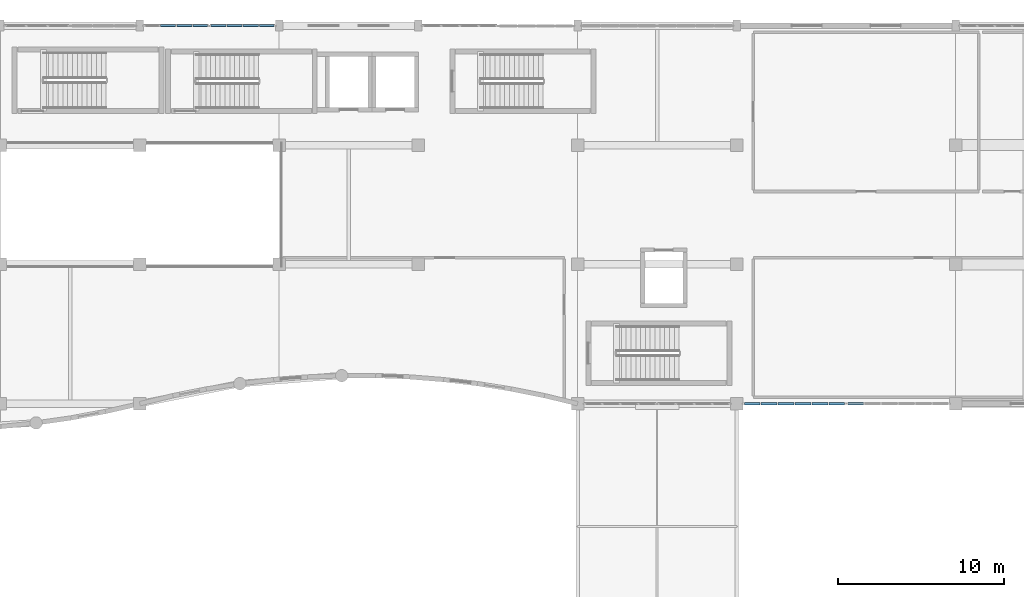
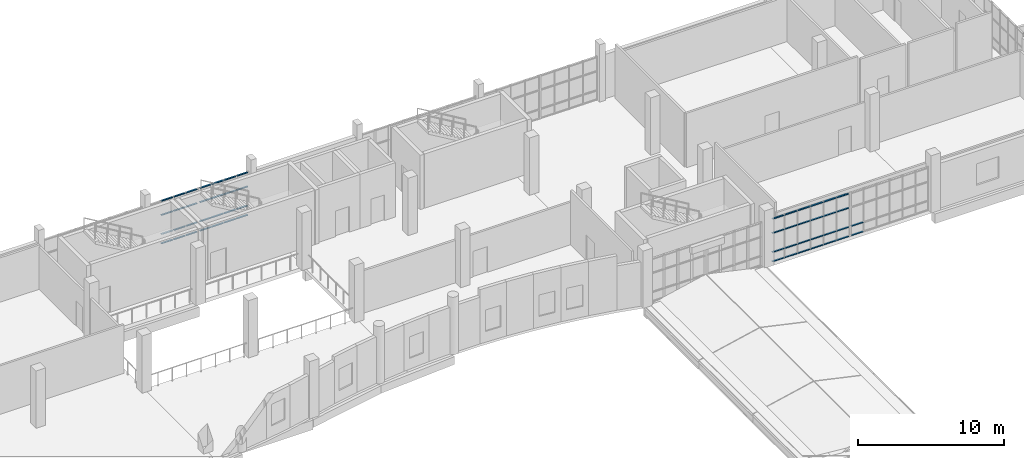
# One storey, part 64 of 106: 54 members, 4 elements without a shape of their own.
"""IFC4 building model written with IfcOpenShell, lengths in metres."""

import ifcopenshell
import ifcopenshell.guid

model = None  # the IFC model being written
_history = None  # IfcOwnerHistory: only IFC2X3 demands one
_inside = {}  # id of a spatial element -> (the spatial element, [elements in it])
_under = {}  # id of a project, library or spatial element -> (it, [spatial elements below it])
_declared = {}  # id of a project -> (the project, [libraries it declares])
_typed = {}  # id of a type object -> (the type object, [elements of that type])
_made_of = {}  # id of a material, layer set ... -> (it, [elements and type objects made of it])


def new_model(schema):
    """Start an empty IFC model of exactly this schema.

    Asked for "IFC4X3", IfcOpenShell would pick the latest addendum, in which some entities
    have other attributes; the version numbers below select the first issue.
    IFC2X3 requires an IfcOwnerHistory on every rooted entity: one is made here for all.
    """
    global model, _history
    if schema == "IFC4X3":
        model = ifcopenshell.file(schema_version=(4, 3, 0, 0))
    else:
        model = ifcopenshell.file(schema=schema)
    _inside.clear()
    _under.clear()
    _declared.clear()
    _typed.clear()
    _made_of.clear()
    _history = None
    if model.schema == "IFC2X3":
        org = make("IfcOrganization", Name="unknown")
        user = make(
            "IfcPersonAndOrganization",
            ThePerson=make("IfcPerson", FamilyName="unknown"),
            TheOrganization=org,
        )
        app = make(
            "IfcApplication",
            ApplicationDeveloper=org,
            Version="unknown",
            ApplicationFullName="unknown",
            ApplicationIdentifier="unknown",
        )
        _history = make(
            "IfcOwnerHistory",
            OwningUser=user,
            OwningApplication=app,
            ChangeAction="ADDED",
            CreationDate=0,
        )
    return model


def make(cls, **values):
    """One entity of the class cls with the attributes given. An attribute that is None is left unset."""
    return model.create_entity(
        cls, **{name: value for name, value in values.items() if value is not None}
    )


def rooted(cls, **values):
    """An entity with a GlobalId (a new one), such as an element, a storey or a relation."""
    return make(cls, GlobalId=ifcopenshell.guid.new(), OwnerHistory=_history, **values)


def si_unit(unit_type, name, prefix=None):
    """IfcSIUnit, for example si_unit("LENGTHUNIT", "METRE", prefix="MILLI")."""
    return make("IfcSIUnit", UnitType=unit_type, Prefix=prefix, Name=name)


def assignment(units):
    """IfcUnitAssignment: the units of a project."""
    return None if units is None else make("IfcUnitAssignment", Units=units)


def point(xyz):
    """IfcCartesianPoint."""
    return None if xyz is None else make("IfcCartesianPoint", Coordinates=xyz)


def direction(xyz):
    """IfcDirection."""
    return None if xyz is None else make("IfcDirection", DirectionRatios=xyz)


def frame(location, z_axis=None, x_axis=None):
    """IfcAxis2Placement3D, a coordinate frame: its origin and axes. An axis left out is left unset."""
    return make(
        "IfcAxis2Placement3D",
        Location=point(location),
        Axis=direction(z_axis),
        RefDirection=direction(x_axis),
    )


def frame_2d(location, x_axis=None):
    """IfcAxis2Placement2D, a coordinate frame in the plane: its origin and x axis."""
    return make(
        "IfcAxis2Placement2D", Location=point(location), RefDirection=direction(x_axis)
    )


def origin():
    """The frame at (0, 0, 0) with its axes left unset."""
    return frame((0.0, 0.0, 0.0))


def origin_2d():
    """The frame at (0, 0) in the plane with its x axis left unset."""
    return frame_2d((0.0, 0.0))


def place(relative_to, where):
    """IfcLocalPlacement: puts the frame where relative to a parent placement (None: the world)."""
    return make(
        "IfcLocalPlacement", PlacementRelTo=relative_to, RelativePlacement=where
    )


def context(
    kind, dimensions, precision=None, world=None, true_north=None, identifier=None
):
    """IfcGeometricRepresentationContext, for example the 3D "Model" context."""
    return make(
        "IfcGeometricRepresentationContext",
        ContextIdentifier=identifier,
        ContextType=kind,
        CoordinateSpaceDimension=dimensions,
        Precision=precision,
        WorldCoordinateSystem=world,
        TrueNorth=true_north,
    )


def subcontext(parent, identifier, kind, view, scale=None):
    """IfcGeometricRepresentationSubContext, for example "Body" below "Model"."""
    return make(
        "IfcGeometricRepresentationSubContext",
        ContextIdentifier=identifier,
        ContextType=kind,
        ParentContext=parent,
        TargetScale=scale,
        TargetView=view,
    )


def project(units=None, contexts=None):
    """IfcProject with its units and contexts."""
    return rooted(
        "IfcProject",
        Name="project",
        RepresentationContexts=contexts,
        UnitsInContext=assignment(units),
    )


def spatial(cls, under=None, at=None, **own):
    """A site, building, storey or space (cls), placed at a placement, below another one or the project."""
    s = rooted(cls, ObjectPlacement=at, **own)
    if under is not None:
        _under.setdefault(under.id(), (under, []))[1].append(s)
    return s


def profile(cls, at=None, kind="AREA", **sizes):
    """A parametric profile (cls). Its sizes go by their IFC names, for example OverallWidth=200.0."""
    return make(cls, ProfileType=kind, Position=at, **sizes)


def hollow_rectangle(**sizes):
    """IfcRectangleHollowProfileDef."""
    return profile("IfcRectangleHollowProfileDef", **sizes)


def extrude(swept, where, along, depth):
    """IfcExtrudedAreaSolid: the profile swept, set in the frame where, extruded along a direction by depth."""
    return make(
        "IfcExtrudedAreaSolid",
        SweptArea=swept,
        Position=where,
        ExtrudedDirection=direction(along),
        Depth=depth,
    )


def shape(context_of_items, identifier, shape_type, items):
    """IfcShapeRepresentation: the items that make up one representation, for example the "Body"."""
    return make(
        "IfcShapeRepresentation",
        ContextOfItems=context_of_items,
        RepresentationIdentifier=identifier,
        RepresentationType=shape_type,
        Items=items,
    )


def material(Name=None, Category=None):
    """IfcMaterial."""
    return make("IfcMaterial", Name=Name, Category=Category)


def layer(
    of_material, thickness, ventilated=None, Name=None, Category=None, Priority=None
):
    """IfcMaterialLayer: one layer of a wall or slab, of a material (None: an air gap)."""
    return make(
        "IfcMaterialLayer",
        Material=of_material,
        LayerThickness=thickness,
        IsVentilated=ventilated,
        Name=Name,
        Category=Category,
        Priority=Priority,
    )


def layer_set(layers, Name=None):
    """IfcMaterialLayerSet."""
    return make("IfcMaterialLayerSet", MaterialLayers=layers, LayerSetName=Name)


def material_profile(
    of_material, cross_section, Name=None, Category=None, Priority=None
):
    """IfcMaterialProfile: a cross section and its material."""
    return make(
        "IfcMaterialProfile",
        Name=Name,
        Material=of_material,
        Profile=cross_section,
        Priority=Priority,
        Category=Category,
    )


def profile_set(profiles, Name=None, composite=None):
    """IfcMaterialProfileSet."""
    return make(
        "IfcMaterialProfileSet",
        Name=Name,
        MaterialProfiles=profiles,
        CompositeProfile=composite,
    )


def made_of(thing, what):
    """Note that an element or type object is made of a material, layer set ...; save() writes the relation."""
    if what is not None:
        _made_of.setdefault(what.id(), (what, []))[1].append(thing)
    return thing


def type_object(cls, material=None, **own):
    """A type object (cls), such as IfcWallType, which elements share."""
    return made_of(rooted(cls, **own), material)


def element(
    cls,
    number,
    at=None,
    inside=None,
    cuts=None,
    type_object=None,
    material=None,
    context=None,
    identifier="Body",
    shape_type=None,
    held_by="IfcProductDefinitionShape",
    body=None,
    shapes=None,
    **own,
):
    """One element of the class cls, such as IfcWall. Its Tag is "e" and its number.

    at: its placement. inside: the storey or other place that contains it. cuts: it is an
    opening in that element (IfcRelVoidsElement). A single representation is given by context,
    identifier, shape_type and body (its items); several are given by shapes. held_by: the class
    of the entity that holds the representations. save() writes the other relations.
    """
    e = rooted(cls, Tag="e%d" % number, ObjectPlacement=at, **own)
    if body is not None:
        shapes = [shape(context, identifier, shape_type, body)]
    if shapes is not None:
        e.Representation = make(held_by, Representations=shapes)
    if inside is not None:
        _inside.setdefault(inside.id(), (inside, []))[1].append(e)
    if cuts is not None:
        rooted(
            "IfcRelVoidsElement", RelatingBuildingElement=cuts, RelatedOpeningElement=e
        )
    if type_object is not None:
        _typed.setdefault(type_object.id(), (type_object, []))[1].append(e)
    return made_of(e, material)


def aggregate(whole, parts):
    """IfcRelAggregates: a whole, such as a stair, and the parts it consists of."""
    return rooted("IfcRelAggregates", RelatingObject=whole, RelatedObjects=parts)


def save(model, path):
    """Write the relations noted so far, then the file.

    IfcRelAggregates (storeys below a building ...), IfcRelContainedInSpatialStructure (elements
    in a storey), IfcRelDefinesByType, IfcRelAssociatesMaterial and IfcRelDeclares: one each for
    every whole, place, type object, material and project.
    """
    for whole, parts in _under.values():
        aggregate(whole, parts)
    for where, things in _inside.values():
        rooted(
            "IfcRelContainedInSpatialStructure",
            RelatedElements=things,
            RelatingStructure=where,
        )
    for kind, things in _typed.values():
        rooted("IfcRelDefinesByType", RelatedObjects=things, RelatingType=kind)
    for what, things in _made_of.values():
        rooted("IfcRelAssociatesMaterial", RelatedObjects=things, RelatingMaterial=what)
    for by, libraries in _declared.values():
        rooted("IfcRelDeclares", RelatingContext=by, RelatedDefinitions=libraries)
    model.write(path)


model = new_model("IFC4")

# Units and contexts
model_context = context("Model", 3, precision=1e-05, world=origin(), true_north=direction((0.0, 1.0)))
body_context = subcontext(model_context, "Body", "Model", "MODEL_VIEW")
ifc_project = project(units=[si_unit("LENGTHUNIT", "METRE"), si_unit("AREAUNIT", "SQUARE_METRE"), si_unit("VOLUMEUNIT", "CUBIC_METRE"), si_unit("PLANEANGLEUNIT", "RADIAN"), si_unit("MASSUNIT", "GRAM", prefix="KILO")], contexts=[model_context])

# Site, building, storey
site_placement = place(None, origin())
site = spatial("IfcSite", under=ifc_project, at=site_placement, CompositionType="ELEMENT")
building_placement = place(site_placement, origin())
building = spatial("IfcBuilding", under=site, at=building_placement, Name="Kisaragi Civic Commons", CompositionType="ELEMENT")
storey_placement = place(building_placement, frame((0.0, 0.0, 4.800048828125)))
storey = spatial("IfcBuildingStorey", under=building, at=storey_placement, Name="L01", CompositionType="ELEMENT", Elevation=4.800048828125)

# Curtain wall, members
ifc_material = material(Name="Thermally broken anodized aluminium and low-E double glazing", Category="aluminium")
ifc_layer = layer(ifc_material, 0.179931640625, Name="Thermally broken anodized aluminium and low-E double glazing", Category="aluminium")
ifc_layer_set = layer_set([ifc_layer], Name="Thermally broken anodized aluminium and low-E double glazing")
curtain_wall_type = type_object("IfcCurtainWallType", Name="CW-01", PredefinedType="NOTDEFINED", material=ifc_layer_set)
curtain_wall_1_placement = place(storey_placement, origin())
curtain_wall_1 = element("IfcCurtainWall", 1, at=curtain_wall_1_placement, inside=storey, type_object=curtain_wall_type, Name="L01 curtain wall CW-01 CW-V4-L01-063", PredefinedType="NOTDEFINED")
ifc_material_profile = material_profile(ifc_material, hollow_rectangle(XDim=0.139892578125, YDim=0.06494140625, WallThickness=0.00439453125, InnerFilletRadius=0.00439453125, OuterFilletRadius=0.009033203125, at=origin_2d()), Name="CWT-65x140x4.5", Category="aluminium")
ifc_profile_set = profile_set([ifc_material_profile], Name="Thermally broken anodized aluminium and low-E double glazing")
member_type = type_object("IfcMemberType", Name="CWT-02", PredefinedType="USERDEFINED", material=ifc_profile_set)
member_1_placement = place(storey_placement, frame((98.452392578125, 118.800048828125, 0.070068359375), z_axis=(1.0, 0.0, 0.0), x_axis=(0.0, 1.0, 0.0)))
member_1 = element("IfcMember", 2, at=member_1_placement, type_object=member_type, Name="CW-01 transom 2.1", ObjectType="TRANSOM", PredefinedType="USERDEFINED", context=body_context, shape_type="SweptSolid", body=[
    extrude(hollow_rectangle(XDim=0.139892578125, YDim=0.06494140625, WallThickness=0.00439453125, InnerFilletRadius=0.00439453125, OuterFilletRadius=0.009033203125, at=origin_2d()), origin(), (0.0, 0.0, 1.0), 0.9150390625),
])
member_2_placement = place(storey_placement, frame((98.452392578125, 118.800048828125, 0.849853515625), z_axis=(1.0, 0.0, 0.0), x_axis=(0.0, 1.0, 0.0)))
member_2 = element("IfcMember", 3, at=member_2_placement, type_object=member_type, Name="CW-01 transom 2.2", ObjectType="TRANSOM", PredefinedType="USERDEFINED", context=body_context, shape_type="SweptSolid", body=[
    extrude(hollow_rectangle(XDim=0.139892578125, YDim=0.06494140625, WallThickness=0.00439453125, InnerFilletRadius=0.00439453125, OuterFilletRadius=0.009033203125, at=origin_2d()), origin(), (0.0, 0.0, 1.0), 0.9150390625),
])
member_3_placement = place(storey_placement, frame((98.452392578125, 118.800048828125, 2.449951171875), z_axis=(1.0, 0.0, 0.0), x_axis=(0.0, 1.0, 0.0)))
member_3 = element("IfcMember", 4, at=member_3_placement, type_object=member_type, Name="CW-01 transom 2.3", ObjectType="TRANSOM", PredefinedType="USERDEFINED", context=body_context, shape_type="SweptSolid", body=[
    extrude(hollow_rectangle(XDim=0.139892578125, YDim=0.06494140625, WallThickness=0.00439453125, InnerFilletRadius=0.00439453125, OuterFilletRadius=0.009033203125, at=origin_2d()), origin(), (0.0, 0.0, 1.0), 0.9150390625),
])
member_4_placement = place(storey_placement, frame((98.452392578125, 118.800048828125, 3.635009765625), z_axis=(1.0, 0.0, 0.0), x_axis=(0.0, 1.0, 0.0)))
member_4 = element("IfcMember", 5, at=member_4_placement, type_object=member_type, Name="CW-01 transom 2.4", ObjectType="TRANSOM", PredefinedType="USERDEFINED", context=body_context, shape_type="SweptSolid", body=[
    extrude(hollow_rectangle(XDim=0.139892578125, YDim=0.06494140625, WallThickness=0.00439453125, InnerFilletRadius=0.00439453125, OuterFilletRadius=0.009033203125, at=origin_2d()), origin(), (0.0, 0.0, 1.0), 0.9150390625),
])
member_5_placement = place(storey_placement, frame((99.4326171875, 118.800048828125, 0.070068359375), z_axis=(1.0, 0.0, 0.0), x_axis=(0.0, 1.0, 0.0)))
member_5 = element("IfcMember", 6, at=member_5_placement, type_object=member_type, Name="CW-01 transom 3.1", ObjectType="TRANSOM", PredefinedType="USERDEFINED", context=body_context, shape_type="SweptSolid", body=[
    extrude(hollow_rectangle(XDim=0.139892578125, YDim=0.06494140625, WallThickness=0.00439453125, InnerFilletRadius=0.00439453125, OuterFilletRadius=0.009033203125, at=origin_2d()), origin(), (0.0, 0.0, 1.0), 0.914794921875),
])
member_6_placement = place(storey_placement, frame((99.4326171875, 118.800048828125, 0.849853515625), z_axis=(1.0, 0.0, 0.0), x_axis=(0.0, 1.0, 0.0)))
member_6 = element("IfcMember", 7, at=member_6_placement, type_object=member_type, Name="CW-01 transom 3.2", ObjectType="TRANSOM", PredefinedType="USERDEFINED", context=body_context, shape_type="SweptSolid", body=[
    extrude(hollow_rectangle(XDim=0.139892578125, YDim=0.06494140625, WallThickness=0.00439453125, InnerFilletRadius=0.00439453125, OuterFilletRadius=0.009033203125, at=origin_2d()), origin(), (0.0, 0.0, 1.0), 0.914794921875),
])
member_7_placement = place(storey_placement, frame((99.4326171875, 118.800048828125, 2.449951171875), z_axis=(1.0, 0.0, 0.0), x_axis=(0.0, 1.0, 0.0)))
member_7 = element("IfcMember", 8, at=member_7_placement, type_object=member_type, Name="CW-01 transom 3.3", ObjectType="TRANSOM", PredefinedType="USERDEFINED", context=body_context, shape_type="SweptSolid", body=[
    extrude(hollow_rectangle(XDim=0.139892578125, YDim=0.06494140625, WallThickness=0.00439453125, InnerFilletRadius=0.00439453125, OuterFilletRadius=0.009033203125, at=origin_2d()), origin(), (0.0, 0.0, 1.0), 0.914794921875),
])
member_8_placement = place(storey_placement, frame((99.4326171875, 118.800048828125, 3.635009765625), z_axis=(1.0, 0.0, 0.0), x_axis=(0.0, 1.0, 0.0)))
member_8 = element("IfcMember", 9, at=member_8_placement, type_object=member_type, Name="CW-01 transom 3.4", ObjectType="TRANSOM", PredefinedType="USERDEFINED", context=body_context, shape_type="SweptSolid", body=[
    extrude(hollow_rectangle(XDim=0.139892578125, YDim=0.06494140625, WallThickness=0.00439453125, InnerFilletRadius=0.00439453125, OuterFilletRadius=0.009033203125, at=origin_2d()), origin(), (0.0, 0.0, 1.0), 0.914794921875),
])
member_9_placement = place(storey_placement, frame((100.41259765625, 118.800048828125, 0.070068359375), z_axis=(1.0, 0.0, 0.0), x_axis=(0.0, 1.0, 0.0)))
member_9 = element("IfcMember", 10, at=member_9_placement, type_object=member_type, Name="CW-01 transom 4.1", ObjectType="TRANSOM", PredefinedType="USERDEFINED", context=body_context, shape_type="SweptSolid", body=[
    extrude(hollow_rectangle(XDim=0.139892578125, YDim=0.06494140625, WallThickness=0.00439453125, InnerFilletRadius=0.00439453125, OuterFilletRadius=0.009033203125, at=origin_2d()), origin(), (0.0, 0.0, 1.0), 0.88232421875),
])
member_10_placement = place(storey_placement, frame((100.41259765625, 118.800048828125, 0.849853515625), z_axis=(1.0, 0.0, 0.0), x_axis=(0.0, 1.0, 0.0)))
member_10 = element("IfcMember", 11, at=member_10_placement, type_object=member_type, Name="CW-01 transom 4.2", ObjectType="TRANSOM", PredefinedType="USERDEFINED", context=body_context, shape_type="SweptSolid", body=[
    extrude(hollow_rectangle(XDim=0.139892578125, YDim=0.06494140625, WallThickness=0.00439453125, InnerFilletRadius=0.00439453125, OuterFilletRadius=0.009033203125, at=origin_2d()), origin(), (0.0, 0.0, 1.0), 0.88232421875),
])
member_11_placement = place(storey_placement, frame((100.41259765625, 118.800048828125, 2.449951171875), z_axis=(1.0, 0.0, 0.0), x_axis=(0.0, 1.0, 0.0)))
member_11 = element("IfcMember", 12, at=member_11_placement, type_object=member_type, Name="CW-01 transom 4.3", ObjectType="TRANSOM", PredefinedType="USERDEFINED", context=body_context, shape_type="SweptSolid", body=[
    extrude(hollow_rectangle(XDim=0.139892578125, YDim=0.06494140625, WallThickness=0.00439453125, InnerFilletRadius=0.00439453125, OuterFilletRadius=0.009033203125, at=origin_2d()), origin(), (0.0, 0.0, 1.0), 0.88232421875),
])
member_12_placement = place(storey_placement, frame((100.41259765625, 118.800048828125, 3.635009765625), z_axis=(1.0, 0.0, 0.0), x_axis=(0.0, 1.0, 0.0)))
member_12 = element("IfcMember", 13, at=member_12_placement, type_object=member_type, Name="CW-01 transom 4.4", ObjectType="TRANSOM", PredefinedType="USERDEFINED", context=body_context, shape_type="SweptSolid", body=[
    extrude(hollow_rectangle(XDim=0.139892578125, YDim=0.06494140625, WallThickness=0.00439453125, InnerFilletRadius=0.00439453125, OuterFilletRadius=0.009033203125, at=origin_2d()), origin(), (0.0, 0.0, 1.0), 0.88232421875),
])
aggregate(curtain_wall_1, [member_1, member_2, member_3, member_4, member_5, member_6, member_7, member_8, member_9, member_10, member_11, member_12])

curtain_wall_2_placement = place(storey_placement, origin())
curtain_wall_2 = element("IfcCurtainWall", 14, at=curtain_wall_2_placement, inside=storey, type_object=curtain_wall_type, Name="L01 curtain wall CW-01 CW-V4-L01-064", PredefinedType="NOTDEFINED")
member_13_placement = place(storey_placement, frame((101.5048828125, 118.800048828125, 0.070068359375), z_axis=(1.0, 0.0, 0.0), x_axis=(0.0, 1.0, 0.0)))
member_13 = element("IfcMember", 15, at=member_13_placement, type_object=member_type, Name="CW-01 transom 1.1", ObjectType="TRANSOM", PredefinedType="USERDEFINED", context=body_context, shape_type="SweptSolid", body=[
    extrude(hollow_rectangle(XDim=0.139892578125, YDim=0.06494140625, WallThickness=0.00439453125, InnerFilletRadius=0.00439453125, OuterFilletRadius=0.009033203125, at=origin_2d()), origin(), (0.0, 0.0, 1.0), 0.882568359375),
])
member_14_placement = place(storey_placement, frame((101.5048828125, 118.800048828125, 0.849853515625), z_axis=(1.0, 0.0, 0.0), x_axis=(0.0, 1.0, 0.0)))
member_14 = element("IfcMember", 16, at=member_14_placement, type_object=member_type, Name="CW-01 transom 1.2", ObjectType="TRANSOM", PredefinedType="USERDEFINED", context=body_context, shape_type="SweptSolid", body=[
    extrude(hollow_rectangle(XDim=0.139892578125, YDim=0.06494140625, WallThickness=0.00439453125, InnerFilletRadius=0.00439453125, OuterFilletRadius=0.009033203125, at=origin_2d()), origin(), (0.0, 0.0, 1.0), 0.882568359375),
])
member_15_placement = place(storey_placement, frame((101.5048828125, 118.800048828125, 2.449951171875), z_axis=(1.0, 0.0, 0.0), x_axis=(0.0, 1.0, 0.0)))
member_15 = element("IfcMember", 17, at=member_15_placement, type_object=member_type, Name="CW-01 transom 1.3", ObjectType="TRANSOM", PredefinedType="USERDEFINED", context=body_context, shape_type="SweptSolid", body=[
    extrude(hollow_rectangle(XDim=0.139892578125, YDim=0.06494140625, WallThickness=0.00439453125, InnerFilletRadius=0.00439453125, OuterFilletRadius=0.009033203125, at=origin_2d()), origin(), (0.0, 0.0, 1.0), 0.882568359375),
])
member_16_placement = place(storey_placement, frame((101.5048828125, 118.800048828125, 3.635009765625), z_axis=(1.0, 0.0, 0.0), x_axis=(0.0, 1.0, 0.0)))
member_16 = element("IfcMember", 18, at=member_16_placement, type_object=member_type, Name="CW-01 transom 1.4", ObjectType="TRANSOM", PredefinedType="USERDEFINED", context=body_context, shape_type="SweptSolid", body=[
    extrude(hollow_rectangle(XDim=0.139892578125, YDim=0.06494140625, WallThickness=0.00439453125, InnerFilletRadius=0.00439453125, OuterFilletRadius=0.009033203125, at=origin_2d()), origin(), (0.0, 0.0, 1.0), 0.882568359375),
])
member_17_placement = place(storey_placement, frame((102.452392578125, 118.800048828125, 0.070068359375), z_axis=(1.0, 0.0, 0.0), x_axis=(0.0, 1.0, 0.0)))
member_17 = element("IfcMember", 19, at=member_17_placement, type_object=member_type, Name="CW-01 transom 2.1", ObjectType="TRANSOM", PredefinedType="USERDEFINED", context=body_context, shape_type="SweptSolid", body=[
    extrude(hollow_rectangle(XDim=0.139892578125, YDim=0.06494140625, WallThickness=0.00439453125, InnerFilletRadius=0.00439453125, OuterFilletRadius=0.009033203125, at=origin_2d()), origin(), (0.0, 0.0, 1.0), 0.9150390625),
])
member_18_placement = place(storey_placement, frame((102.452392578125, 118.800048828125, 0.849853515625), z_axis=(1.0, 0.0, 0.0), x_axis=(0.0, 1.0, 0.0)))
member_18 = element("IfcMember", 20, at=member_18_placement, type_object=member_type, Name="CW-01 transom 2.2", ObjectType="TRANSOM", PredefinedType="USERDEFINED", context=body_context, shape_type="SweptSolid", body=[
    extrude(hollow_rectangle(XDim=0.139892578125, YDim=0.06494140625, WallThickness=0.00439453125, InnerFilletRadius=0.00439453125, OuterFilletRadius=0.009033203125, at=origin_2d()), origin(), (0.0, 0.0, 1.0), 0.9150390625),
])
member_19_placement = place(storey_placement, frame((102.452392578125, 118.800048828125, 2.449951171875), z_axis=(1.0, 0.0, 0.0), x_axis=(0.0, 1.0, 0.0)))
member_19 = element("IfcMember", 21, at=member_19_placement, type_object=member_type, Name="CW-01 transom 2.3", ObjectType="TRANSOM", PredefinedType="USERDEFINED", context=body_context, shape_type="SweptSolid", body=[
    extrude(hollow_rectangle(XDim=0.139892578125, YDim=0.06494140625, WallThickness=0.00439453125, InnerFilletRadius=0.00439453125, OuterFilletRadius=0.009033203125, at=origin_2d()), origin(), (0.0, 0.0, 1.0), 0.9150390625),
])
member_20_placement = place(storey_placement, frame((102.452392578125, 118.800048828125, 3.635009765625), z_axis=(1.0, 0.0, 0.0), x_axis=(0.0, 1.0, 0.0)))
member_20 = element("IfcMember", 22, at=member_20_placement, type_object=member_type, Name="CW-01 transom 2.4", ObjectType="TRANSOM", PredefinedType="USERDEFINED", context=body_context, shape_type="SweptSolid", body=[
    extrude(hollow_rectangle(XDim=0.139892578125, YDim=0.06494140625, WallThickness=0.00439453125, InnerFilletRadius=0.00439453125, OuterFilletRadius=0.009033203125, at=origin_2d()), origin(), (0.0, 0.0, 1.0), 0.9150390625),
])
member_21_placement = place(storey_placement, frame((103.4326171875, 118.800048828125, 0.070068359375), z_axis=(1.0, 0.0, 0.0), x_axis=(0.0, 1.0, 0.0)))
member_21 = element("IfcMember", 23, at=member_21_placement, type_object=member_type, Name="CW-01 transom 3.1", ObjectType="TRANSOM", PredefinedType="USERDEFINED", context=body_context, shape_type="SweptSolid", body=[
    extrude(hollow_rectangle(XDim=0.139892578125, YDim=0.06494140625, WallThickness=0.00439453125, InnerFilletRadius=0.00439453125, OuterFilletRadius=0.009033203125, at=origin_2d()), origin(), (0.0, 0.0, 1.0), 0.914794921875),
])
member_22_placement = place(storey_placement, frame((103.4326171875, 118.800048828125, 0.849853515625), z_axis=(1.0, 0.0, 0.0), x_axis=(0.0, 1.0, 0.0)))
member_22 = element("IfcMember", 24, at=member_22_placement, type_object=member_type, Name="CW-01 transom 3.2", ObjectType="TRANSOM", PredefinedType="USERDEFINED", context=body_context, shape_type="SweptSolid", body=[
    extrude(hollow_rectangle(XDim=0.139892578125, YDim=0.06494140625, WallThickness=0.00439453125, InnerFilletRadius=0.00439453125, OuterFilletRadius=0.009033203125, at=origin_2d()), origin(), (0.0, 0.0, 1.0), 0.914794921875),
])
member_23_placement = place(storey_placement, frame((103.4326171875, 118.800048828125, 2.449951171875), z_axis=(1.0, 0.0, 0.0), x_axis=(0.0, 1.0, 0.0)))
member_23 = element("IfcMember", 25, at=member_23_placement, type_object=member_type, Name="CW-01 transom 3.3", ObjectType="TRANSOM", PredefinedType="USERDEFINED", context=body_context, shape_type="SweptSolid", body=[
    extrude(hollow_rectangle(XDim=0.139892578125, YDim=0.06494140625, WallThickness=0.00439453125, InnerFilletRadius=0.00439453125, OuterFilletRadius=0.009033203125, at=origin_2d()), origin(), (0.0, 0.0, 1.0), 0.914794921875),
])
member_24_placement = place(storey_placement, frame((103.4326171875, 118.800048828125, 3.635009765625), z_axis=(1.0, 0.0, 0.0), x_axis=(0.0, 1.0, 0.0)))
member_24 = element("IfcMember", 26, at=member_24_placement, type_object=member_type, Name="CW-01 transom 3.4", ObjectType="TRANSOM", PredefinedType="USERDEFINED", context=body_context, shape_type="SweptSolid", body=[
    extrude(hollow_rectangle(XDim=0.139892578125, YDim=0.06494140625, WallThickness=0.00439453125, InnerFilletRadius=0.00439453125, OuterFilletRadius=0.009033203125, at=origin_2d()), origin(), (0.0, 0.0, 1.0), 0.914794921875),
])
member_25_placement = place(storey_placement, frame((104.41259765625, 118.800048828125, 0.070068359375), z_axis=(1.0, 0.0, 0.0), x_axis=(0.0, 1.0, 0.0)))
member_25 = element("IfcMember", 27, at=member_25_placement, type_object=member_type, Name="CW-01 transom 4.1", ObjectType="TRANSOM", PredefinedType="USERDEFINED", context=body_context, shape_type="SweptSolid", body=[
    extrude(hollow_rectangle(XDim=0.139892578125, YDim=0.06494140625, WallThickness=0.00439453125, InnerFilletRadius=0.00439453125, OuterFilletRadius=0.009033203125, at=origin_2d()), origin(), (0.0, 0.0, 1.0), 0.88232421875),
])
member_26_placement = place(storey_placement, frame((104.41259765625, 118.800048828125, 0.849853515625), z_axis=(1.0, 0.0, 0.0), x_axis=(0.0, 1.0, 0.0)))
member_26 = element("IfcMember", 28, at=member_26_placement, type_object=member_type, Name="CW-01 transom 4.2", ObjectType="TRANSOM", PredefinedType="USERDEFINED", context=body_context, shape_type="SweptSolid", body=[
    extrude(hollow_rectangle(XDim=0.139892578125, YDim=0.06494140625, WallThickness=0.00439453125, InnerFilletRadius=0.00439453125, OuterFilletRadius=0.009033203125, at=origin_2d()), origin(), (0.0, 0.0, 1.0), 0.88232421875),
])
member_27_placement = place(storey_placement, frame((104.41259765625, 118.800048828125, 2.449951171875), z_axis=(1.0, 0.0, 0.0), x_axis=(0.0, 1.0, 0.0)))
member_27 = element("IfcMember", 29, at=member_27_placement, type_object=member_type, Name="CW-01 transom 4.3", ObjectType="TRANSOM", PredefinedType="USERDEFINED", context=body_context, shape_type="SweptSolid", body=[
    extrude(hollow_rectangle(XDim=0.139892578125, YDim=0.06494140625, WallThickness=0.00439453125, InnerFilletRadius=0.00439453125, OuterFilletRadius=0.009033203125, at=origin_2d()), origin(), (0.0, 0.0, 1.0), 0.88232421875),
])
member_28_placement = place(storey_placement, frame((104.41259765625, 118.800048828125, 3.635009765625), z_axis=(1.0, 0.0, 0.0), x_axis=(0.0, 1.0, 0.0)))
member_28 = element("IfcMember", 30, at=member_28_placement, type_object=member_type, Name="CW-01 transom 4.4", ObjectType="TRANSOM", PredefinedType="USERDEFINED", context=body_context, shape_type="SweptSolid", body=[
    extrude(hollow_rectangle(XDim=0.139892578125, YDim=0.06494140625, WallThickness=0.00439453125, InnerFilletRadius=0.00439453125, OuterFilletRadius=0.009033203125, at=origin_2d()), origin(), (0.0, 0.0, 1.0), 0.88232421875),
])
aggregate(curtain_wall_2, [member_13, member_14, member_15, member_16, member_17, member_18, member_19, member_20, member_21, member_22, member_23, member_24, member_25, member_26, member_27, member_28])

curtain_wall_3_placement = place(storey_placement, origin())
curtain_wall_3 = element("IfcCurtainWall", 31, at=curtain_wall_3_placement, inside=storey, type_object=curtain_wall_type, Name="L01 curtain wall CW-01 CW-V4-L01-073", PredefinedType="NOTDEFINED")
member_29_placement = place(storey_placement, frame((140.8359375, 96.0, 0.070068359375), z_axis=(-1.0, 0.0, 0.0), x_axis=(0.0, -1.0, 0.0)))
member_29 = element("IfcMember", 32, at=member_29_placement, type_object=member_type, Name="CW-01 transom 6.1", ObjectType="TRANSOM", PredefinedType="USERDEFINED", context=body_context, shape_type="SweptSolid", body=[
    extrude(hollow_rectangle(XDim=0.139892578125, YDim=0.06494140625, WallThickness=0.00439453125, InnerFilletRadius=0.00439453125, OuterFilletRadius=0.009033203125, at=origin_2d()), origin(), (0.0, 0.0, 1.0), 0.930908203125),
])
member_30_placement = place(storey_placement, frame((140.8359375, 96.0, 0.849853515625), z_axis=(-1.0, 0.0, 0.0), x_axis=(0.0, -1.0, 0.0)))
member_30 = element("IfcMember", 33, at=member_30_placement, type_object=member_type, Name="CW-01 transom 6.2", ObjectType="TRANSOM", PredefinedType="USERDEFINED", context=body_context, shape_type="SweptSolid", body=[
    extrude(hollow_rectangle(XDim=0.139892578125, YDim=0.06494140625, WallThickness=0.00439453125, InnerFilletRadius=0.00439453125, OuterFilletRadius=0.009033203125, at=origin_2d()), origin(), (0.0, 0.0, 1.0), 0.930908203125),
])
aggregate(curtain_wall_3, [member_29, member_30])

curtain_wall_4_placement = place(storey_placement, origin())
curtain_wall_4 = element("IfcCurtainWall", 34, at=curtain_wall_4_placement, inside=storey, type_object=curtain_wall_type, Name="L01 curtain wall CW-01 CW-V4-L01-074", PredefinedType="NOTDEFINED")
member_31_placement = place(storey_placement, frame((139.695068359375, 96.0, 0.070068359375), z_axis=(-1.0, 0.0, 0.0), x_axis=(0.0, -1.0, 0.0)))
member_31 = element("IfcMember", 35, at=member_31_placement, type_object=member_type, Name="CW-01 transom 1.1", ObjectType="TRANSOM", PredefinedType="USERDEFINED", context=body_context, shape_type="SweptSolid", body=[
    extrude(hollow_rectangle(XDim=0.139892578125, YDim=0.06494140625, WallThickness=0.00439453125, InnerFilletRadius=0.00439453125, OuterFilletRadius=0.009033203125, at=origin_2d()), origin(), (0.0, 0.0, 1.0), 0.930908203125),
])
member_32_placement = place(storey_placement, frame((139.695068359375, 96.0, 0.849853515625), z_axis=(-1.0, 0.0, 0.0), x_axis=(0.0, -1.0, 0.0)))
member_32 = element("IfcMember", 36, at=member_32_placement, type_object=member_type, Name="CW-01 transom 1.2", ObjectType="TRANSOM", PredefinedType="USERDEFINED", context=body_context, shape_type="SweptSolid", body=[
    extrude(hollow_rectangle(XDim=0.139892578125, YDim=0.06494140625, WallThickness=0.00439453125, InnerFilletRadius=0.00439453125, OuterFilletRadius=0.009033203125, at=origin_2d()), origin(), (0.0, 0.0, 1.0), 0.930908203125),
])
member_33_placement = place(storey_placement, frame((139.695068359375, 96.0, 2.449951171875), z_axis=(-1.0, 0.0, 0.0), x_axis=(0.0, -1.0, 0.0)))
member_33 = element("IfcMember", 37, at=member_33_placement, type_object=member_type, Name="CW-01 transom 1.3", ObjectType="TRANSOM", PredefinedType="USERDEFINED", context=body_context, shape_type="SweptSolid", body=[
    extrude(hollow_rectangle(XDim=0.139892578125, YDim=0.06494140625, WallThickness=0.00439453125, InnerFilletRadius=0.00439453125, OuterFilletRadius=0.009033203125, at=origin_2d()), origin(), (0.0, 0.0, 1.0), 0.930908203125),
])
member_34_placement = place(storey_placement, frame((139.695068359375, 96.0, 3.635009765625), z_axis=(-1.0, 0.0, 0.0), x_axis=(0.0, -1.0, 0.0)))
member_34 = element("IfcMember", 38, at=member_34_placement, type_object=member_type, Name="CW-01 transom 1.4", ObjectType="TRANSOM", PredefinedType="USERDEFINED", context=body_context, shape_type="SweptSolid", body=[
    extrude(hollow_rectangle(XDim=0.139892578125, YDim=0.06494140625, WallThickness=0.00439453125, InnerFilletRadius=0.00439453125, OuterFilletRadius=0.009033203125, at=origin_2d()), origin(), (0.0, 0.0, 1.0), 0.930908203125),
])
member_35_placement = place(storey_placement, frame((138.69921875, 96.0, 0.070068359375), z_axis=(-1.0, 0.0, 0.0), x_axis=(0.0, -1.0, 0.0)))
member_35 = element("IfcMember", 39, at=member_35_placement, type_object=member_type, Name="CW-01 transom 2.1", ObjectType="TRANSOM", PredefinedType="USERDEFINED", context=body_context, shape_type="SweptSolid", body=[
    extrude(hollow_rectangle(XDim=0.139892578125, YDim=0.06494140625, WallThickness=0.00439453125, InnerFilletRadius=0.00439453125, OuterFilletRadius=0.009033203125, at=origin_2d()), origin(), (0.0, 0.0, 1.0), 0.96337890625),
])
member_36_placement = place(storey_placement, frame((138.69921875, 96.0, 0.849853515625), z_axis=(-1.0, 0.0, 0.0), x_axis=(0.0, -1.0, 0.0)))
member_36 = element("IfcMember", 40, at=member_36_placement, type_object=member_type, Name="CW-01 transom 2.2", ObjectType="TRANSOM", PredefinedType="USERDEFINED", context=body_context, shape_type="SweptSolid", body=[
    extrude(hollow_rectangle(XDim=0.139892578125, YDim=0.06494140625, WallThickness=0.00439453125, InnerFilletRadius=0.00439453125, OuterFilletRadius=0.009033203125, at=origin_2d()), origin(), (0.0, 0.0, 1.0), 0.96337890625),
])
member_37_placement = place(storey_placement, frame((138.69921875, 96.0, 2.449951171875), z_axis=(-1.0, 0.0, 0.0), x_axis=(0.0, -1.0, 0.0)))
member_37 = element("IfcMember", 41, at=member_37_placement, type_object=member_type, Name="CW-01 transom 2.3", ObjectType="TRANSOM", PredefinedType="USERDEFINED", context=body_context, shape_type="SweptSolid", body=[
    extrude(hollow_rectangle(XDim=0.139892578125, YDim=0.06494140625, WallThickness=0.00439453125, InnerFilletRadius=0.00439453125, OuterFilletRadius=0.009033203125, at=origin_2d()), origin(), (0.0, 0.0, 1.0), 0.96337890625),
])
member_38_placement = place(storey_placement, frame((138.69921875, 96.0, 3.635009765625), z_axis=(-1.0, 0.0, 0.0), x_axis=(0.0, -1.0, 0.0)))
member_38 = element("IfcMember", 42, at=member_38_placement, type_object=member_type, Name="CW-01 transom 2.4", ObjectType="TRANSOM", PredefinedType="USERDEFINED", context=body_context, shape_type="SweptSolid", body=[
    extrude(hollow_rectangle(XDim=0.139892578125, YDim=0.06494140625, WallThickness=0.00439453125, InnerFilletRadius=0.00439453125, OuterFilletRadius=0.009033203125, at=origin_2d()), origin(), (0.0, 0.0, 1.0), 0.96337890625),
])
member_39_placement = place(storey_placement, frame((137.6708984375, 96.0, 0.070068359375), z_axis=(-1.0, 0.0, 0.0), x_axis=(0.0, -1.0, 0.0)))
member_39 = element("IfcMember", 43, at=member_39_placement, type_object=member_type, Name="CW-01 transom 3.1", ObjectType="TRANSOM", PredefinedType="USERDEFINED", context=body_context, shape_type="SweptSolid", body=[
    extrude(hollow_rectangle(XDim=0.139892578125, YDim=0.06494140625, WallThickness=0.00439453125, InnerFilletRadius=0.00439453125, OuterFilletRadius=0.009033203125, at=origin_2d()), origin(), (0.0, 0.0, 1.0), 0.96337890625),
])
member_40_placement = place(storey_placement, frame((137.6708984375, 96.0, 0.849853515625), z_axis=(-1.0, 0.0, 0.0), x_axis=(0.0, -1.0, 0.0)))
member_40 = element("IfcMember", 44, at=member_40_placement, type_object=member_type, Name="CW-01 transom 3.2", ObjectType="TRANSOM", PredefinedType="USERDEFINED", context=body_context, shape_type="SweptSolid", body=[
    extrude(hollow_rectangle(XDim=0.139892578125, YDim=0.06494140625, WallThickness=0.00439453125, InnerFilletRadius=0.00439453125, OuterFilletRadius=0.009033203125, at=origin_2d()), origin(), (0.0, 0.0, 1.0), 0.96337890625),
])
member_41_placement = place(storey_placement, frame((137.6708984375, 96.0, 2.449951171875), z_axis=(-1.0, 0.0, 0.0), x_axis=(0.0, -1.0, 0.0)))
member_41 = element("IfcMember", 45, at=member_41_placement, type_object=member_type, Name="CW-01 transom 3.3", ObjectType="TRANSOM", PredefinedType="USERDEFINED", context=body_context, shape_type="SweptSolid", body=[
    extrude(hollow_rectangle(XDim=0.139892578125, YDim=0.06494140625, WallThickness=0.00439453125, InnerFilletRadius=0.00439453125, OuterFilletRadius=0.009033203125, at=origin_2d()), origin(), (0.0, 0.0, 1.0), 0.96337890625),
])
member_42_placement = place(storey_placement, frame((137.6708984375, 96.0, 3.635009765625), z_axis=(-1.0, 0.0, 0.0), x_axis=(0.0, -1.0, 0.0)))
member_42 = element("IfcMember", 46, at=member_42_placement, type_object=member_type, Name="CW-01 transom 3.4", ObjectType="TRANSOM", PredefinedType="USERDEFINED", context=body_context, shape_type="SweptSolid", body=[
    extrude(hollow_rectangle(XDim=0.139892578125, YDim=0.06494140625, WallThickness=0.00439453125, InnerFilletRadius=0.00439453125, OuterFilletRadius=0.009033203125, at=origin_2d()), origin(), (0.0, 0.0, 1.0), 0.96337890625),
])
member_43_placement = place(storey_placement, frame((136.642578125, 96.0, 0.070068359375), z_axis=(-1.0, 0.0, 0.0), x_axis=(0.0, -1.0, 0.0)))
member_43 = element("IfcMember", 47, at=member_43_placement, type_object=member_type, Name="CW-01 transom 4.1", ObjectType="TRANSOM", PredefinedType="USERDEFINED", context=body_context, shape_type="SweptSolid", body=[
    extrude(hollow_rectangle(XDim=0.139892578125, YDim=0.06494140625, WallThickness=0.00439453125, InnerFilletRadius=0.00439453125, OuterFilletRadius=0.009033203125, at=origin_2d()), origin(), (0.0, 0.0, 1.0), 0.96337890625),
])
member_44_placement = place(storey_placement, frame((136.642578125, 96.0, 0.849853515625), z_axis=(-1.0, 0.0, 0.0), x_axis=(0.0, -1.0, 0.0)))
member_44 = element("IfcMember", 48, at=member_44_placement, type_object=member_type, Name="CW-01 transom 4.2", ObjectType="TRANSOM", PredefinedType="USERDEFINED", context=body_context, shape_type="SweptSolid", body=[
    extrude(hollow_rectangle(XDim=0.139892578125, YDim=0.06494140625, WallThickness=0.00439453125, InnerFilletRadius=0.00439453125, OuterFilletRadius=0.009033203125, at=origin_2d()), origin(), (0.0, 0.0, 1.0), 0.96337890625),
])
member_45_placement = place(storey_placement, frame((136.642578125, 96.0, 2.449951171875), z_axis=(-1.0, 0.0, 0.0), x_axis=(0.0, -1.0, 0.0)))
member_45 = element("IfcMember", 49, at=member_45_placement, type_object=member_type, Name="CW-01 transom 4.3", ObjectType="TRANSOM", PredefinedType="USERDEFINED", context=body_context, shape_type="SweptSolid", body=[
    extrude(hollow_rectangle(XDim=0.139892578125, YDim=0.06494140625, WallThickness=0.00439453125, InnerFilletRadius=0.00439453125, OuterFilletRadius=0.009033203125, at=origin_2d()), origin(), (0.0, 0.0, 1.0), 0.96337890625),
])
member_46_placement = place(storey_placement, frame((136.642578125, 96.0, 3.635009765625), z_axis=(-1.0, 0.0, 0.0), x_axis=(0.0, -1.0, 0.0)))
member_46 = element("IfcMember", 50, at=member_46_placement, type_object=member_type, Name="CW-01 transom 4.4", ObjectType="TRANSOM", PredefinedType="USERDEFINED", context=body_context, shape_type="SweptSolid", body=[
    extrude(hollow_rectangle(XDim=0.139892578125, YDim=0.06494140625, WallThickness=0.00439453125, InnerFilletRadius=0.00439453125, OuterFilletRadius=0.009033203125, at=origin_2d()), origin(), (0.0, 0.0, 1.0), 0.96337890625),
])
member_47_placement = place(storey_placement, frame((135.6142578125, 96.0, 0.070068359375), z_axis=(-1.0, 0.0, 0.0), x_axis=(0.0, -1.0, 0.0)))
member_47 = element("IfcMember", 51, at=member_47_placement, type_object=member_type, Name="CW-01 transom 5.1", ObjectType="TRANSOM", PredefinedType="USERDEFINED", context=body_context, shape_type="SweptSolid", body=[
    extrude(hollow_rectangle(XDim=0.139892578125, YDim=0.06494140625, WallThickness=0.00439453125, InnerFilletRadius=0.00439453125, OuterFilletRadius=0.009033203125, at=origin_2d()), origin(), (0.0, 0.0, 1.0), 0.96337890625),
])
member_48_placement = place(storey_placement, frame((135.6142578125, 96.0, 0.849853515625), z_axis=(-1.0, 0.0, 0.0), x_axis=(0.0, -1.0, 0.0)))
member_48 = element("IfcMember", 52, at=member_48_placement, type_object=member_type, Name="CW-01 transom 5.2", ObjectType="TRANSOM", PredefinedType="USERDEFINED", context=body_context, shape_type="SweptSolid", body=[
    extrude(hollow_rectangle(XDim=0.139892578125, YDim=0.06494140625, WallThickness=0.00439453125, InnerFilletRadius=0.00439453125, OuterFilletRadius=0.009033203125, at=origin_2d()), origin(), (0.0, 0.0, 1.0), 0.96337890625),
])
member_49_placement = place(storey_placement, frame((135.6142578125, 96.0, 2.449951171875), z_axis=(-1.0, 0.0, 0.0), x_axis=(0.0, -1.0, 0.0)))
member_49 = element("IfcMember", 53, at=member_49_placement, type_object=member_type, Name="CW-01 transom 5.3", ObjectType="TRANSOM", PredefinedType="USERDEFINED", context=body_context, shape_type="SweptSolid", body=[
    extrude(hollow_rectangle(XDim=0.139892578125, YDim=0.06494140625, WallThickness=0.00439453125, InnerFilletRadius=0.00439453125, OuterFilletRadius=0.009033203125, at=origin_2d()), origin(), (0.0, 0.0, 1.0), 0.96337890625),
])
member_50_placement = place(storey_placement, frame((135.6142578125, 96.0, 3.635009765625), z_axis=(-1.0, 0.0, 0.0), x_axis=(0.0, -1.0, 0.0)))
member_50 = element("IfcMember", 54, at=member_50_placement, type_object=member_type, Name="CW-01 transom 5.4", ObjectType="TRANSOM", PredefinedType="USERDEFINED", context=body_context, shape_type="SweptSolid", body=[
    extrude(hollow_rectangle(XDim=0.139892578125, YDim=0.06494140625, WallThickness=0.00439453125, InnerFilletRadius=0.00439453125, OuterFilletRadius=0.009033203125, at=origin_2d()), origin(), (0.0, 0.0, 1.0), 0.96337890625),
])
member_51_placement = place(storey_placement, frame((134.5859375, 96.0, 0.070068359375), z_axis=(-1.0, 0.0, 0.0), x_axis=(0.0, -1.0, 0.0)))
member_51 = element("IfcMember", 55, at=member_51_placement, type_object=member_type, Name="CW-01 transom 6.1", ObjectType="TRANSOM", PredefinedType="USERDEFINED", context=body_context, shape_type="SweptSolid", body=[
    extrude(hollow_rectangle(XDim=0.139892578125, YDim=0.06494140625, WallThickness=0.00439453125, InnerFilletRadius=0.00439453125, OuterFilletRadius=0.009033203125, at=origin_2d()), origin(), (0.0, 0.0, 1.0), 0.930908203125),
])
member_52_placement = place(storey_placement, frame((134.5859375, 96.0, 0.849853515625), z_axis=(-1.0, 0.0, 0.0), x_axis=(0.0, -1.0, 0.0)))
member_52 = element("IfcMember", 56, at=member_52_placement, type_object=member_type, Name="CW-01 transom 6.2", ObjectType="TRANSOM", PredefinedType="USERDEFINED", context=body_context, shape_type="SweptSolid", body=[
    extrude(hollow_rectangle(XDim=0.139892578125, YDim=0.06494140625, WallThickness=0.00439453125, InnerFilletRadius=0.00439453125, OuterFilletRadius=0.009033203125, at=origin_2d()), origin(), (0.0, 0.0, 1.0), 0.930908203125),
])
member_53_placement = place(storey_placement, frame((134.5859375, 96.0, 2.449951171875), z_axis=(-1.0, 0.0, 0.0), x_axis=(0.0, -1.0, 0.0)))
member_53 = element("IfcMember", 57, at=member_53_placement, type_object=member_type, Name="CW-01 transom 6.3", ObjectType="TRANSOM", PredefinedType="USERDEFINED", context=body_context, shape_type="SweptSolid", body=[
    extrude(hollow_rectangle(XDim=0.139892578125, YDim=0.06494140625, WallThickness=0.00439453125, InnerFilletRadius=0.00439453125, OuterFilletRadius=0.009033203125, at=origin_2d()), origin(), (0.0, 0.0, 1.0), 0.930908203125),
])
member_54_placement = place(storey_placement, frame((134.5859375, 96.0, 3.635009765625), z_axis=(-1.0, 0.0, 0.0), x_axis=(0.0, -1.0, 0.0)))
member_54 = element("IfcMember", 58, at=member_54_placement, type_object=member_type, Name="CW-01 transom 6.4", ObjectType="TRANSOM", PredefinedType="USERDEFINED", context=body_context, shape_type="SweptSolid", body=[
    extrude(hollow_rectangle(XDim=0.139892578125, YDim=0.06494140625, WallThickness=0.00439453125, InnerFilletRadius=0.00439453125, OuterFilletRadius=0.009033203125, at=origin_2d()), origin(), (0.0, 0.0, 1.0), 0.930908203125),
])
aggregate(curtain_wall_4, [member_31, member_32, member_33, member_34, member_35, member_36, member_37, member_38, member_39, member_40, member_41, member_42, member_43, member_44, member_45, member_46, member_47, member_48, member_49, member_50, member_51, member_52, member_53, member_54])

save(model, "model.ifc")
